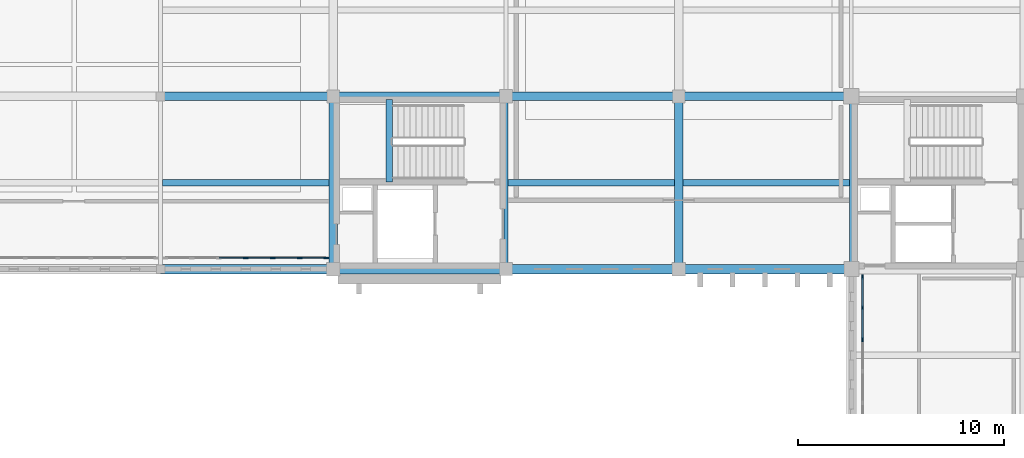
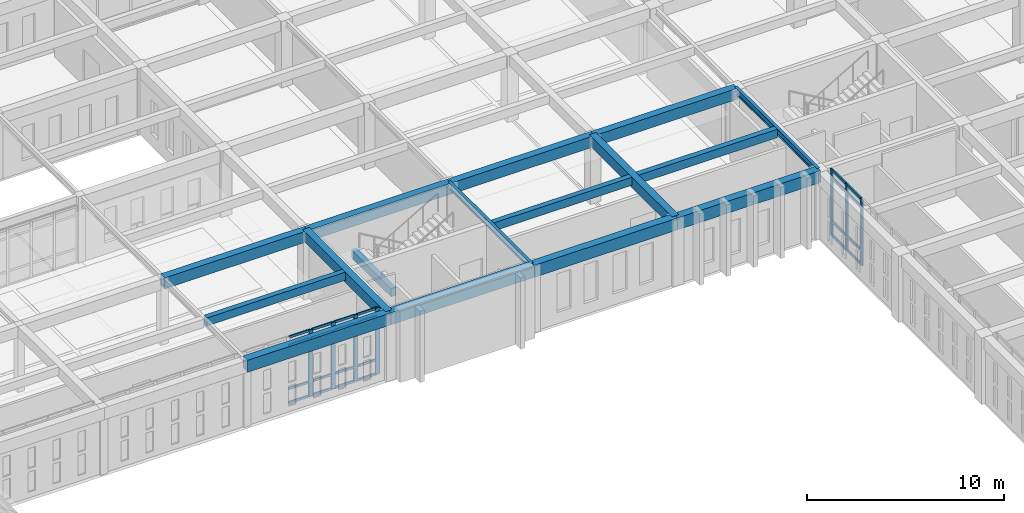
# One storey, part 93 of 192: 31 members, 16 beams, 2 elements without a shape of their own.
"""IFC4 building model written with IfcOpenShell, lengths in metres."""

from ifc_helpers import new_model, si_unit, direction, frame, origin, origin_2d, place, context, subcontext, project, spatial, rectangle, i_section, extrude, material, layer, layer_set, material_profile, profile_set, type_object, element, aggregate, save


model = new_model("IFC4")

# Units and contexts
model_context = context("Model", 3, precision=1e-05, world=origin(), true_north=direction((0.0, 1.0)))
body_context = subcontext(model_context, "Body", "Model", "MODEL_VIEW")
ifc_project = project(units=[si_unit("LENGTHUNIT", "METRE"), si_unit("AREAUNIT", "SQUARE_METRE"), si_unit("VOLUMEUNIT", "CUBIC_METRE"), si_unit("PLANEANGLEUNIT", "RADIAN"), si_unit("MASSUNIT", "GRAM", prefix="KILO")], contexts=[model_context])

# Site, building, storey
site_placement = place(None, origin())
site = spatial("IfcSite", under=ifc_project, at=site_placement, CompositionType="ELEMENT")
building_placement = place(site_placement, origin())
building = spatial("IfcBuilding", under=site, at=building_placement, Name="Kveldsbrygga Polytechnic", CompositionType="ELEMENT")
storey_placement = place(building_placement, frame((0.0, 0.0, 5.43994140625)))
storey = spatial("IfcBuildingStorey", under=building, at=storey_placement, Name="L01", CompositionType="ELEMENT", Elevation=5.43994140625)

# Beams
ifc_material_1 = material(Name="Concrete C35/45", Category="concrete")
ifc_material_profile_1 = material_profile(ifc_material_1, rectangle(XDim=0.39990234375, YDim=0.64990234375, at=origin_2d()), Name="RC 400x650")
ifc_profile_set_1 = profile_set([ifc_material_profile_1], Name="Concrete C35/45")
beam_type_1 = type_object("IfcBeamType", Name="BM-RC-400x650", PredefinedType="BEAM", material=ifc_profile_set_1)
for number, where, z_axis, x_axis, name in (
    (1, (100.800048828125, 84.0, 3.795166015625), (0.0, 1.0, 0.0), (-1.0, 0.0, 0.0), "Primary Beam BMY-L01-12-10to11"),
    (2, (117.60009765625, 84.0, 3.795166015625), (0.0, 1.0, 0.0), (-1.0, 0.0, 0.0), "Primary Beam BMY-L01-14-10to11"),
):
    element("IfcBeam", number, at=place(storey_placement, frame(where, z_axis=z_axis, x_axis=x_axis)), inside=storey, type_object=beam_type_1, Name=name, PredefinedType="BEAM", context=body_context, shape_type="SweptSolid", body=[
        extrude(rectangle(XDim=0.39990234375, YDim=0.64990234375, at=origin_2d()), origin(), (0.0, 0.0, 1.0), 8.39990234375),
    ])
ifc_material_profile_2 = material_profile(ifc_material_1, rectangle(XDim=0.419921875, YDim=0.679931640625, at=origin_2d()), Name="RC 420x680")
ifc_profile_set_2 = profile_set([ifc_material_profile_2], Name="Concrete C35/45")
beam_type_2 = type_object("IfcBeamType", Name="BM-RC-420x680", PredefinedType="BEAM", material=ifc_profile_set_2)
beam_1_placement = place(storey_placement, frame((92.39990234375, 92.39990234375, 3.780029296875), z_axis=(1.0, 0.0, 0.0), x_axis=(0.0, 1.0, 0.0)))
element("IfcBeam", 3, at=beam_1_placement, inside=storey, type_object=beam_type_2, Name="Primary Beam BMX-L01-11to12-11", PredefinedType="BEAM", context=body_context, shape_type="SweptSolid", body=[
    extrude(rectangle(XDim=0.419921875, YDim=0.679931640625, at=origin_2d()), origin(), (0.0, 0.0, 1.0), 8.400146484375),
])
beam_2_placement = place(storey_placement, frame((100.800048828125, 92.39990234375, 3.780029296875), z_axis=(1.0, 0.0, 0.0), x_axis=(0.0, 1.0, 0.0)))
element("IfcBeam", 4, at=beam_2_placement, inside=storey, type_object=beam_type_2, Name="Primary Beam BMX-L01-12to13-11", PredefinedType="BEAM", context=body_context, shape_type="SweptSolid", body=[
    extrude(rectangle(XDim=0.419921875, YDim=0.679931640625, at=origin_2d()), origin(), (0.0, 0.0, 1.0), 8.39990234375),
])
beam_3_placement = place(storey_placement, frame((109.199951171875, 92.39990234375, 3.780029296875), z_axis=(1.0, 0.0, 0.0), x_axis=(0.0, 1.0, 0.0)))
element("IfcBeam", 5, at=beam_3_placement, inside=storey, type_object=beam_type_2, Name="Primary Beam BMX-L01-13to14-11", PredefinedType="BEAM", context=body_context, shape_type="SweptSolid", body=[
    extrude(rectangle(XDim=0.419921875, YDim=0.679931640625, at=origin_2d()), origin(), (0.0, 0.0, 1.0), 8.400146484375),
])
beam_4_placement = place(storey_placement, frame((117.60009765625, 92.39990234375, 3.780029296875), z_axis=(1.0, 0.0, 0.0), x_axis=(0.0, 1.0, 0.0)))
element("IfcBeam", 6, at=beam_4_placement, inside=storey, type_object=beam_type_2, Name="Primary Beam BMX-L01-14to15-11", PredefinedType="BEAM", context=body_context, shape_type="SweptSolid", body=[
    extrude(rectangle(XDim=0.419921875, YDim=0.679931640625, at=origin_2d()), origin(), (0.0, 0.0, 1.0), 8.39990234375),
])
ifc_material_profile_3 = material_profile(ifc_material_1, rectangle(XDim=0.4599609375, YDim=0.739990234375, at=origin_2d()), Name="RC 460x740")
ifc_profile_set_3 = profile_set([ifc_material_profile_3], Name="Concrete C35/45")
beam_type_3 = type_object("IfcBeamType", Name="BM-RC-460x740", PredefinedType="BEAM", material=ifc_profile_set_3)
beam_5_placement = place(storey_placement, frame((92.39990234375, 84.0, 3.75), z_axis=(1.0, 0.0, 0.0), x_axis=(0.0, 1.0, 0.0)))
element("IfcBeam", 7, at=beam_5_placement, inside=storey, type_object=beam_type_3, Name="Primary Beam BMX-L01-11to12-10", PredefinedType="BEAM", context=body_context, shape_type="SweptSolid", body=[
    extrude(rectangle(XDim=0.4599609375, YDim=0.739990234375, at=origin_2d()), origin(), (0.0, 0.0, 1.0), 8.400146484375),
])
beam_6_placement = place(storey_placement, frame((100.800048828125, 84.0, 3.75), z_axis=(1.0, 0.0, 0.0), x_axis=(0.0, 1.0, 0.0)))
element("IfcBeam", 8, at=beam_6_placement, inside=storey, type_object=beam_type_3, Name="Primary Beam BMX-L01-12to13-10", PredefinedType="BEAM", context=body_context, shape_type="SweptSolid", body=[
    extrude(rectangle(XDim=0.4599609375, YDim=0.739990234375, at=origin_2d()), origin(), (0.0, 0.0, 1.0), 8.39990234375),
])
beam_7_placement = place(storey_placement, frame((109.199951171875, 84.0, 3.75), z_axis=(1.0, 0.0, 0.0), x_axis=(0.0, 1.0, 0.0)))
element("IfcBeam", 9, at=beam_7_placement, inside=storey, type_object=beam_type_3, Name="Primary Beam BMX-L01-13to14-10", PredefinedType="BEAM", context=body_context, shape_type="SweptSolid", body=[
    extrude(rectangle(XDim=0.4599609375, YDim=0.739990234375, at=origin_2d()), origin(), (0.0, 0.0, 1.0), 8.400146484375),
])
beam_8_placement = place(storey_placement, frame((117.60009765625, 84.0, 3.75), z_axis=(1.0, 0.0, 0.0), x_axis=(0.0, 1.0, 0.0)))
element("IfcBeam", 10, at=beam_8_placement, inside=storey, type_object=beam_type_3, Name="Primary Beam BMX-L01-14to15-10", PredefinedType="BEAM", context=body_context, shape_type="SweptSolid", body=[
    extrude(rectangle(XDim=0.4599609375, YDim=0.739990234375, at=origin_2d()), origin(), (0.0, 0.0, 1.0), 8.39990234375),
])
ifc_material_2 = material(Name="Steel S355", Category="steel")
ifc_material_profile_4 = material_profile(ifc_material_2, i_section(OverallWidth=0.179931640625, OverallDepth=0.39990234375, WebThickness=0.008544921875, FlangeThickness=0.013427734375, FilletRadius=0.02099609375, at=origin_2d()), Name="IPE 400")
ifc_profile_set_4 = profile_set([ifc_material_profile_4], Name="Steel S355")
beam_type_4 = type_object("IfcBeamType", Name="BM-STL-IPE400", PredefinedType="BEAM", material=ifc_profile_set_4)
for number, where, z_axis, x_axis, name in (
    (11, (109.199951171875, 84.0, 3.920166015625), (0.0, 1.0, 0.0), (-1.0, 0.0, 0.0), "Primary Beam BMY-L01-13-10to11"),
    (12, (126.0, 84.0, 3.920166015625), (0.0, 1.0, 0.0), (-1.0, 0.0, 0.0), "Primary Beam BMY-L01-15-10to11"),
):
    element("IfcBeam", number, at=place(storey_placement, frame(where, z_axis=z_axis, x_axis=x_axis)), inside=storey, type_object=beam_type_4, Name=name, PredefinedType="BEAM", context=body_context, shape_type="SweptSolid", body=[
        extrude(i_section(OverallWidth=0.179931640625, OverallDepth=0.39990234375, WebThickness=0.008544921875, FlangeThickness=0.013427734375, FilletRadius=0.02099609375, at=origin_2d()), origin(), (0.0, 0.0, 1.0), 8.39990234375),
    ])

# Curtain wall, members
ifc_material_3 = material(Name="Anodised aluminium AW-6060", Category="aluminium")
ifc_layer_1 = layer(ifc_material_3, 0.159912109375)
ifc_layer_set_1 = layer_set([ifc_layer_1], Name="Anodised aluminium AW-6060")
curtain_wall_type_1 = type_object("IfcCurtainWallType", Name="CW-CLER-C", PredefinedType="USERDEFINED", material=ifc_layer_set_1)
curtain_wall_1_placement = place(storey_placement, origin())
curtain_wall_1 = element("IfcCurtainWall", 13, at=curtain_wall_1_placement, inside=storey, type_object=curtain_wall_type_1, Name="Curtain Wall CW-L01-Y-15-09", ObjectType="STICK CURTAIN WALL", PredefinedType="USERDEFINED")
ifc_material_profile_5 = material_profile(ifc_material_3, rectangle(XDim=0.074951171875, YDim=0.199951171875, at=origin_2d()), Name="ALU 75x200")
ifc_profile_set_5 = profile_set([ifc_material_profile_5], Name="Anodised aluminium AW-6060")
member_type_1 = type_object("IfcMemberType", Name="CW-MUL-200", PredefinedType="MULLION", material=ifc_profile_set_5)
member_1_placement = place(storey_placement, frame((126.550048828125, 80.576904296875, 0.0), z_axis=(0.0, 0.0, 1.0), x_axis=(-1.0, 0.0, 0.0)))
member_1 = element("IfcMember", 14, at=member_1_placement, type_object=member_type_1, Name="CW-03 mullion 4", PredefinedType="MULLION", context=body_context, shape_type="SweptSolid", body=[
    extrude(rectangle(XDim=0.074951171875, YDim=0.199951171875, at=origin_2d()), origin(), (0.0, 0.0, 1.0), 4.1201171875),
])
member_2_placement = place(storey_placement, frame((126.550048828125, 82.115966796875, 0.0), z_axis=(0.0, 0.0, 1.0), x_axis=(-1.0, 0.0, 0.0)))
member_2 = element("IfcMember", 15, at=member_2_placement, type_object=member_type_1, Name="CW-03 mullion 5", PredefinedType="MULLION", context=body_context, shape_type="SweptSolid", body=[
    extrude(rectangle(XDim=0.074951171875, YDim=0.199951171875, at=origin_2d()), origin(), (0.0, 0.0, 1.0), 4.1201171875),
])
member_3_placement = place(storey_placement, frame((126.550048828125, 83.617431640625, 0.0), z_axis=(0.0, 0.0, 1.0), x_axis=(-1.0, 0.0, 0.0)))
member_3 = element("IfcMember", 16, at=member_3_placement, type_object=member_type_1, Name="CW-03 mullion 6", PredefinedType="MULLION", context=body_context, shape_type="SweptSolid", body=[
    extrude(rectangle(XDim=0.074951171875, YDim=0.199951171875, at=origin_2d()), origin(), (0.0, 0.0, 1.0), 4.1201171875),
])

ifc_layer_2 = layer(ifc_material_3, 0.2099609375)
ifc_layer_set_2 = layer_set([ifc_layer_2], Name="Anodised aluminium AW-6060")
curtain_wall_type_2 = type_object("IfcCurtainWallType", Name="CW-LIBR-H", PredefinedType="USERDEFINED", material=ifc_layer_set_2)
curtain_wall_2_placement = place(storey_placement, origin())
curtain_wall_2 = element("IfcCurtainWall", 17, at=curtain_wall_2_placement, inside=storey, type_object=curtain_wall_type_2, Name="Curtain Wall CW-L01-X-11-10", ObjectType="UNITISED CURTAIN WALL", PredefinedType="USERDEFINED")
ifc_material_profile_6 = material_profile(ifc_material_3, rectangle(XDim=0.074951171875, YDim=0.239990234375, at=origin_2d()), Name="ALU 75x240")
ifc_profile_set_6 = profile_set([ifc_material_profile_6], Name="Anodised aluminium AW-6060")
member_type_2 = type_object("IfcMemberType", Name="CW-MUL-240", PredefinedType="MULLION", material=ifc_profile_set_6)
member_4_placement = place(storey_placement, frame((96.54248046875, 84.550048828125, 0.0), z_axis=(0.0, 0.0, 1.0), x_axis=(0.0, 1.0, 0.0)))
member_4 = element("IfcMember", 18, at=member_4_placement, type_object=member_type_2, Name="CW-08 mullion 4", PredefinedType="MULLION", context=body_context, shape_type="SweptSolid", body=[
    extrude(rectangle(XDim=0.074951171875, YDim=0.239990234375, at=origin_2d()), origin(), (0.0, 0.0, 1.0), 4.1201171875),
])
member_5_placement = place(storey_placement, frame((97.8583984375, 84.550048828125, 0.0), z_axis=(0.0, 0.0, 1.0), x_axis=(0.0, 1.0, 0.0)))
member_5 = element("IfcMember", 19, at=member_5_placement, type_object=member_type_2, Name="CW-08 mullion 5", PredefinedType="MULLION", context=body_context, shape_type="SweptSolid", body=[
    extrude(rectangle(XDim=0.074951171875, YDim=0.239990234375, at=origin_2d()), origin(), (0.0, 0.0, 1.0), 4.1201171875),
])
member_6_placement = place(storey_placement, frame((99.174072265625, 84.550048828125, 0.0), z_axis=(0.0, 0.0, 1.0), x_axis=(0.0, 1.0, 0.0)))
member_6 = element("IfcMember", 20, at=member_6_placement, type_object=member_type_2, Name="CW-08 mullion 6", PredefinedType="MULLION", context=body_context, shape_type="SweptSolid", body=[
    extrude(rectangle(XDim=0.074951171875, YDim=0.239990234375, at=origin_2d()), origin(), (0.0, 0.0, 1.0), 4.1201171875),
])
member_7_placement = place(storey_placement, frame((100.452392578125, 84.550048828125, 0.0), z_axis=(0.0, 0.0, 1.0), x_axis=(0.0, 1.0, 0.0)))
member_7 = element("IfcMember", 21, at=member_7_placement, type_object=member_type_2, Name="CW-08 mullion 7", PredefinedType="MULLION", context=body_context, shape_type="SweptSolid", body=[
    extrude(rectangle(XDim=0.074951171875, YDim=0.239990234375, at=origin_2d()), origin(), (0.0, 0.0, 1.0), 4.1201171875),
])
ifc_material_profile_7 = material_profile(ifc_material_3, rectangle(XDim=0.06005859375, YDim=0.14990234375, at=origin_2d()), Name="ALU 60x150")
ifc_profile_set_7 = profile_set([ifc_material_profile_7], Name="Anodised aluminium AW-6060")
member_type_3 = type_object("IfcMemberType", Name="CW-TRN-150", PredefinedType="USERDEFINED", material=ifc_profile_set_7)
member_8_placement = place(storey_placement, frame((95.26416015625, 84.550048828125, 0.030029296875), z_axis=(1.0, 0.0, 0.0), x_axis=(0.0, 1.0, 0.0)))
member_8 = element("IfcMember", 22, at=member_8_placement, type_object=member_type_3, Name="CW-08 transom 3.1", ObjectType="TRANSOM", PredefinedType="USERDEFINED", context=body_context, shape_type="SweptSolid", body=[
    extrude(rectangle(XDim=0.06005859375, YDim=0.14990234375, at=origin_2d()), origin(), (0.0, 0.0, 1.0), 1.24072265625),
])
member_9_placement = place(storey_placement, frame((95.26416015625, 84.550048828125, 0.900146484375), z_axis=(1.0, 0.0, 0.0), x_axis=(0.0, 1.0, 0.0)))
member_9 = element("IfcMember", 23, at=member_9_placement, type_object=member_type_3, Name="CW-08 transom 3.2", ObjectType="TRANSOM", PredefinedType="USERDEFINED", context=body_context, shape_type="SweptSolid", body=[
    extrude(rectangle(XDim=0.06005859375, YDim=0.14990234375, at=origin_2d()), origin(), (0.0, 0.0, 1.0), 1.24072265625),
])
member_10_placement = place(storey_placement, frame((95.26416015625, 84.550048828125, 3.570068359375), z_axis=(1.0, 0.0, 0.0), x_axis=(0.0, 1.0, 0.0)))
member_10 = element("IfcMember", 24, at=member_10_placement, type_object=member_type_3, Name="CW-08 transom 3.3", ObjectType="TRANSOM", PredefinedType="USERDEFINED", context=body_context, shape_type="SweptSolid", body=[
    extrude(rectangle(XDim=0.06005859375, YDim=0.14990234375, at=origin_2d()), origin(), (0.0, 0.0, 1.0), 1.24072265625),
])
member_11_placement = place(storey_placement, frame((95.26416015625, 84.550048828125, 4.090087890625), z_axis=(1.0, 0.0, 0.0), x_axis=(0.0, 1.0, 0.0)))
member_11 = element("IfcMember", 25, at=member_11_placement, type_object=member_type_3, Name="CW-08 transom 3.4", ObjectType="TRANSOM", PredefinedType="USERDEFINED", context=body_context, shape_type="SweptSolid", body=[
    extrude(rectangle(XDim=0.06005859375, YDim=0.14990234375, at=origin_2d()), origin(), (0.0, 0.0, 1.0), 1.24072265625),
])
member_12_placement = place(storey_placement, frame((96.580078125, 84.550048828125, 0.030029296875), z_axis=(1.0, 0.0, 0.0), x_axis=(0.0, 1.0, 0.0)))
member_12 = element("IfcMember", 26, at=member_12_placement, type_object=member_type_3, Name="CW-08 transom 4.1", ObjectType="TRANSOM", PredefinedType="USERDEFINED", context=body_context, shape_type="SweptSolid", body=[
    extrude(rectangle(XDim=0.06005859375, YDim=0.14990234375, at=origin_2d()), origin(), (0.0, 0.0, 1.0), 1.24072265625),
])
member_13_placement = place(storey_placement, frame((96.580078125, 84.550048828125, 0.900146484375), z_axis=(1.0, 0.0, 0.0), x_axis=(0.0, 1.0, 0.0)))
member_13 = element("IfcMember", 27, at=member_13_placement, type_object=member_type_3, Name="CW-08 transom 4.2", ObjectType="TRANSOM", PredefinedType="USERDEFINED", context=body_context, shape_type="SweptSolid", body=[
    extrude(rectangle(XDim=0.06005859375, YDim=0.14990234375, at=origin_2d()), origin(), (0.0, 0.0, 1.0), 1.24072265625),
])
member_14_placement = place(storey_placement, frame((96.580078125, 84.550048828125, 3.570068359375), z_axis=(1.0, 0.0, 0.0), x_axis=(0.0, 1.0, 0.0)))
member_14 = element("IfcMember", 28, at=member_14_placement, type_object=member_type_3, Name="CW-08 transom 4.3", ObjectType="TRANSOM", PredefinedType="USERDEFINED", context=body_context, shape_type="SweptSolid", body=[
    extrude(rectangle(XDim=0.06005859375, YDim=0.14990234375, at=origin_2d()), origin(), (0.0, 0.0, 1.0), 1.24072265625),
])
member_15_placement = place(storey_placement, frame((96.580078125, 84.550048828125, 4.090087890625), z_axis=(1.0, 0.0, 0.0), x_axis=(0.0, 1.0, 0.0)))
member_15 = element("IfcMember", 29, at=member_15_placement, type_object=member_type_3, Name="CW-08 transom 4.4", ObjectType="TRANSOM", PredefinedType="USERDEFINED", context=body_context, shape_type="SweptSolid", body=[
    extrude(rectangle(XDim=0.06005859375, YDim=0.14990234375, at=origin_2d()), origin(), (0.0, 0.0, 1.0), 1.24072265625),
])
member_16_placement = place(storey_placement, frame((97.895751953125, 84.550048828125, 0.030029296875), z_axis=(1.0, 0.0, 0.0), x_axis=(0.0, 1.0, 0.0)))
member_16 = element("IfcMember", 30, at=member_16_placement, type_object=member_type_3, Name="CW-08 transom 5.1", ObjectType="TRANSOM", PredefinedType="USERDEFINED", context=body_context, shape_type="SweptSolid", body=[
    extrude(rectangle(XDim=0.06005859375, YDim=0.14990234375, at=origin_2d()), origin(), (0.0, 0.0, 1.0), 1.240966796875),
])
member_17_placement = place(storey_placement, frame((97.895751953125, 84.550048828125, 0.900146484375), z_axis=(1.0, 0.0, 0.0), x_axis=(0.0, 1.0, 0.0)))
member_17 = element("IfcMember", 31, at=member_17_placement, type_object=member_type_3, Name="CW-08 transom 5.2", ObjectType="TRANSOM", PredefinedType="USERDEFINED", context=body_context, shape_type="SweptSolid", body=[
    extrude(rectangle(XDim=0.06005859375, YDim=0.14990234375, at=origin_2d()), origin(), (0.0, 0.0, 1.0), 1.240966796875),
])
member_18_placement = place(storey_placement, frame((97.895751953125, 84.550048828125, 3.570068359375), z_axis=(1.0, 0.0, 0.0), x_axis=(0.0, 1.0, 0.0)))
member_18 = element("IfcMember", 32, at=member_18_placement, type_object=member_type_3, Name="CW-08 transom 5.3", ObjectType="TRANSOM", PredefinedType="USERDEFINED", context=body_context, shape_type="SweptSolid", body=[
    extrude(rectangle(XDim=0.06005859375, YDim=0.14990234375, at=origin_2d()), origin(), (0.0, 0.0, 1.0), 1.240966796875),
])
member_19_placement = place(storey_placement, frame((97.895751953125, 84.550048828125, 4.090087890625), z_axis=(1.0, 0.0, 0.0), x_axis=(0.0, 1.0, 0.0)))
member_19 = element("IfcMember", 33, at=member_19_placement, type_object=member_type_3, Name="CW-08 transom 5.4", ObjectType="TRANSOM", PredefinedType="USERDEFINED", context=body_context, shape_type="SweptSolid", body=[
    extrude(rectangle(XDim=0.06005859375, YDim=0.14990234375, at=origin_2d()), origin(), (0.0, 0.0, 1.0), 1.240966796875),
])
member_20_placement = place(storey_placement, frame((99.211669921875, 84.550048828125, 0.030029296875), z_axis=(1.0, 0.0, 0.0), x_axis=(0.0, 1.0, 0.0)))
member_20 = element("IfcMember", 34, at=member_20_placement, type_object=member_type_3, Name="CW-08 transom 6.1", ObjectType="TRANSOM", PredefinedType="USERDEFINED", context=body_context, shape_type="SweptSolid", body=[
    extrude(rectangle(XDim=0.06005859375, YDim=0.14990234375, at=origin_2d()), origin(), (0.0, 0.0, 1.0), 1.203369140625),
])
member_21_placement = place(storey_placement, frame((99.211669921875, 84.550048828125, 0.900146484375), z_axis=(1.0, 0.0, 0.0), x_axis=(0.0, 1.0, 0.0)))
member_21 = element("IfcMember", 35, at=member_21_placement, type_object=member_type_3, Name="CW-08 transom 6.2", ObjectType="TRANSOM", PredefinedType="USERDEFINED", context=body_context, shape_type="SweptSolid", body=[
    extrude(rectangle(XDim=0.06005859375, YDim=0.14990234375, at=origin_2d()), origin(), (0.0, 0.0, 1.0), 1.203369140625),
])
member_22_placement = place(storey_placement, frame((99.211669921875, 84.550048828125, 3.570068359375), z_axis=(1.0, 0.0, 0.0), x_axis=(0.0, 1.0, 0.0)))
member_22 = element("IfcMember", 36, at=member_22_placement, type_object=member_type_3, Name="CW-08 transom 6.3", ObjectType="TRANSOM", PredefinedType="USERDEFINED", context=body_context, shape_type="SweptSolid", body=[
    extrude(rectangle(XDim=0.06005859375, YDim=0.14990234375, at=origin_2d()), origin(), (0.0, 0.0, 1.0), 1.203369140625),
])
member_23_placement = place(storey_placement, frame((99.211669921875, 84.550048828125, 4.090087890625), z_axis=(1.0, 0.0, 0.0), x_axis=(0.0, 1.0, 0.0)))
member_23 = element("IfcMember", 37, at=member_23_placement, type_object=member_type_3, Name="CW-08 transom 6.4", ObjectType="TRANSOM", PredefinedType="USERDEFINED", context=body_context, shape_type="SweptSolid", body=[
    extrude(rectangle(XDim=0.06005859375, YDim=0.14990234375, at=origin_2d()), origin(), (0.0, 0.0, 1.0), 1.203369140625),
])
aggregate(curtain_wall_2, [member_4, member_5, member_6, member_7, member_8, member_9, member_10, member_11, member_12, member_13, member_14, member_15, member_16, member_17, member_18, member_19, member_20, member_21, member_22, member_23])

# Member
ifc_material_profile_8 = material_profile(ifc_material_3, rectangle(XDim=0.074951171875, YDim=0.159912109375, at=origin_2d()), Name="ALU 75x160")
ifc_profile_set_8 = profile_set([ifc_material_profile_8], Name="Anodised aluminium AW-6060")
member_type_4 = type_object("IfcMemberType", Name="CW-TRN-160", PredefinedType="USERDEFINED", material=ifc_profile_set_8)
member_24_placement = place(storey_placement, frame((126.550048828125, 80.614501953125, 0.03759765625), z_axis=(0.0, 1.0, 0.0), x_axis=(-1.0, 0.0, 0.0)))
member_24 = element("IfcMember", 38, at=member_24_placement, type_object=member_type_4, Name="CW-03 transom 4.1", ObjectType="TRANSOM", PredefinedType="USERDEFINED", context=body_context, shape_type="SweptSolid", body=[
    extrude(rectangle(XDim=0.074951171875, YDim=0.159912109375, at=origin_2d()), origin(), (0.0, 0.0, 1.0), 1.464111328125),
])

member_25_placement = place(storey_placement, frame((126.550048828125, 80.614501953125, 0.900146484375), z_axis=(0.0, 1.0, 0.0), x_axis=(-1.0, 0.0, 0.0)))
member_25 = element("IfcMember", 39, at=member_25_placement, type_object=member_type_4, Name="CW-03 transom 4.2", ObjectType="TRANSOM", PredefinedType="USERDEFINED", context=body_context, shape_type="SweptSolid", body=[
    extrude(rectangle(XDim=0.074951171875, YDim=0.159912109375, at=origin_2d()), origin(), (0.0, 0.0, 1.0), 1.464111328125),
])

member_26_placement = place(storey_placement, frame((126.550048828125, 80.614501953125, 3.570068359375), z_axis=(0.0, 1.0, 0.0), x_axis=(-1.0, 0.0, 0.0)))
member_26 = element("IfcMember", 40, at=member_26_placement, type_object=member_type_4, Name="CW-03 transom 4.3", ObjectType="TRANSOM", PredefinedType="USERDEFINED", context=body_context, shape_type="SweptSolid", body=[
    extrude(rectangle(XDim=0.074951171875, YDim=0.159912109375, at=origin_2d()), origin(), (0.0, 0.0, 1.0), 1.464111328125),
])

member_27_placement = place(storey_placement, frame((126.550048828125, 80.614501953125, 4.08251953125), z_axis=(0.0, 1.0, 0.0), x_axis=(-1.0, 0.0, 0.0)))
member_27 = element("IfcMember", 41, at=member_27_placement, type_object=member_type_4, Name="CW-03 transom 4.4", ObjectType="TRANSOM", PredefinedType="USERDEFINED", context=body_context, shape_type="SweptSolid", body=[
    extrude(rectangle(XDim=0.074951171875, YDim=0.159912109375, at=origin_2d()), origin(), (0.0, 0.0, 1.0), 1.464111328125),
])

member_28_placement = place(storey_placement, frame((126.550048828125, 82.153564453125, 0.03759765625), z_axis=(0.0, 1.0, 0.0), x_axis=(-1.0, 0.0, 0.0)))
member_28 = element("IfcMember", 42, at=member_28_placement, type_object=member_type_4, Name="CW-03 transom 5.1", ObjectType="TRANSOM", PredefinedType="USERDEFINED", context=body_context, shape_type="SweptSolid", body=[
    extrude(rectangle(XDim=0.074951171875, YDim=0.159912109375, at=origin_2d()), origin(), (0.0, 0.0, 1.0), 1.426513671875),
])

member_29_placement = place(storey_placement, frame((126.550048828125, 82.153564453125, 0.900146484375), z_axis=(0.0, 1.0, 0.0), x_axis=(-1.0, 0.0, 0.0)))
member_29 = element("IfcMember", 43, at=member_29_placement, type_object=member_type_4, Name="CW-03 transom 5.2", ObjectType="TRANSOM", PredefinedType="USERDEFINED", context=body_context, shape_type="SweptSolid", body=[
    extrude(rectangle(XDim=0.074951171875, YDim=0.159912109375, at=origin_2d()), origin(), (0.0, 0.0, 1.0), 1.426513671875),
])

member_30_placement = place(storey_placement, frame((126.550048828125, 82.153564453125, 3.570068359375), z_axis=(0.0, 1.0, 0.0), x_axis=(-1.0, 0.0, 0.0)))
member_30 = element("IfcMember", 44, at=member_30_placement, type_object=member_type_4, Name="CW-03 transom 5.3", ObjectType="TRANSOM", PredefinedType="USERDEFINED", context=body_context, shape_type="SweptSolid", body=[
    extrude(rectangle(XDim=0.074951171875, YDim=0.159912109375, at=origin_2d()), origin(), (0.0, 0.0, 1.0), 1.426513671875),
])

member_31_placement = place(storey_placement, frame((126.550048828125, 82.153564453125, 4.08251953125), z_axis=(0.0, 1.0, 0.0), x_axis=(-1.0, 0.0, 0.0)))
member_31 = element("IfcMember", 45, at=member_31_placement, type_object=member_type_4, Name="CW-03 transom 5.4", ObjectType="TRANSOM", PredefinedType="USERDEFINED", context=body_context, shape_type="SweptSolid", body=[
    extrude(rectangle(XDim=0.074951171875, YDim=0.159912109375, at=origin_2d()), origin(), (0.0, 0.0, 1.0), 1.426513671875),
])

aggregate(curtain_wall_1, [member_1, member_2, member_3, member_24, member_25, member_26, member_27, member_28, member_29, member_30, member_31])

# Beams
ifc_material_profile_9 = material_profile(ifc_material_1, rectangle(XDim=0.300048828125, YDim=0.5, at=origin_2d()), Name="RC 300x500")
ifc_profile_set_9 = profile_set([ifc_material_profile_9], Name="Concrete C35/45")
beam_type_5 = type_object("IfcBeamType", Name="JST-RC-300x500", PredefinedType="JOIST", material=ifc_profile_set_9)
beam_9_placement = place(storey_placement, frame((92.489990234375, 88.199951171875, 3.8701171875), z_axis=(1.0, 0.0, 0.0), x_axis=(0.0, 1.0, 0.0)))
element("IfcBeam", 46, at=beam_9_placement, inside=storey, type_object=beam_type_5, Name="Secondary Joist JST-L01-11-10", PredefinedType="JOIST", context=body_context, shape_type="SweptSolid", body=[
    extrude(rectangle(XDim=0.300048828125, YDim=0.5, at=origin_2d()), origin(), (0.0, 0.0, 1.0), 8.110107421875),
])
beam_10_placement = place(storey_placement, frame((109.2900390625, 88.199951171875, 3.8701171875), z_axis=(1.0, 0.0, 0.0), x_axis=(0.0, 1.0, 0.0)))
element("IfcBeam", 47, at=beam_10_placement, inside=storey, type_object=beam_type_5, Name="Secondary Joist JST-L01-13-10", PredefinedType="JOIST", context=body_context, shape_type="SweptSolid", body=[
    extrude(rectangle(XDim=0.300048828125, YDim=0.5, at=origin_2d()), origin(), (0.0, 0.0, 1.0), 8.10986328125),
])
ifc_material_profile_10 = material_profile(ifc_material_1, rectangle(XDim=0.320068359375, YDim=0.52001953125, at=origin_2d()), Name="RC 320x520")
ifc_profile_set_10 = profile_set([ifc_material_profile_10], Name="Concrete C35/45")
beam_type_6 = type_object("IfcBeamType", Name="JST-RC-320x520", PredefinedType="JOIST", material=ifc_profile_set_10)
beam_11_placement = place(storey_placement, frame((117.800048828125, 88.199951171875, 3.860107421875), z_axis=(1.0, 0.0, 0.0), x_axis=(0.0, 1.0, 0.0)))
element("IfcBeam", 48, at=beam_11_placement, inside=storey, type_object=beam_type_6, Name="Secondary Joist JST-L01-14-10", PredefinedType="JOIST", context=body_context, shape_type="SweptSolid", body=[
    extrude(rectangle(XDim=0.320068359375, YDim=0.52001953125, at=origin_2d()), origin(), (0.0, 0.0, 1.0), 8.10986328125),
])
ifc_material_profile_11 = material_profile(ifc_material_1, rectangle(XDim=0.300048828125, YDim=0.5, at=origin_2d()), Name="RC 300x500")
ifc_profile_set_11 = profile_set([ifc_material_profile_11], Name="Concrete C35/45")
beam_type_7 = type_object("IfcBeamType", Name="LNT-RC-300x500", PredefinedType="LINTEL", material=ifc_profile_set_11)
beam_12_placement = place(storey_placement, frame((103.52001953125, 88.22998046875, 1.760009765625), z_axis=(0.0, 1.0, 0.0), x_axis=(-1.0, 0.0, 0.0)))
element("IfcBeam", 49, at=beam_12_placement, inside=storey, type_object=beam_type_7, Name="Stair Landing Support Beam C5-L01-LNDB-1-1", PredefinedType="LINTEL", context=body_context, shape_type="SweptSolid", body=[
    extrude(rectangle(XDim=0.300048828125, YDim=0.5, at=origin_2d()), origin(), (0.0, 0.0, 1.0), 4.02001953125),
])

save(model, "model.ifc")
